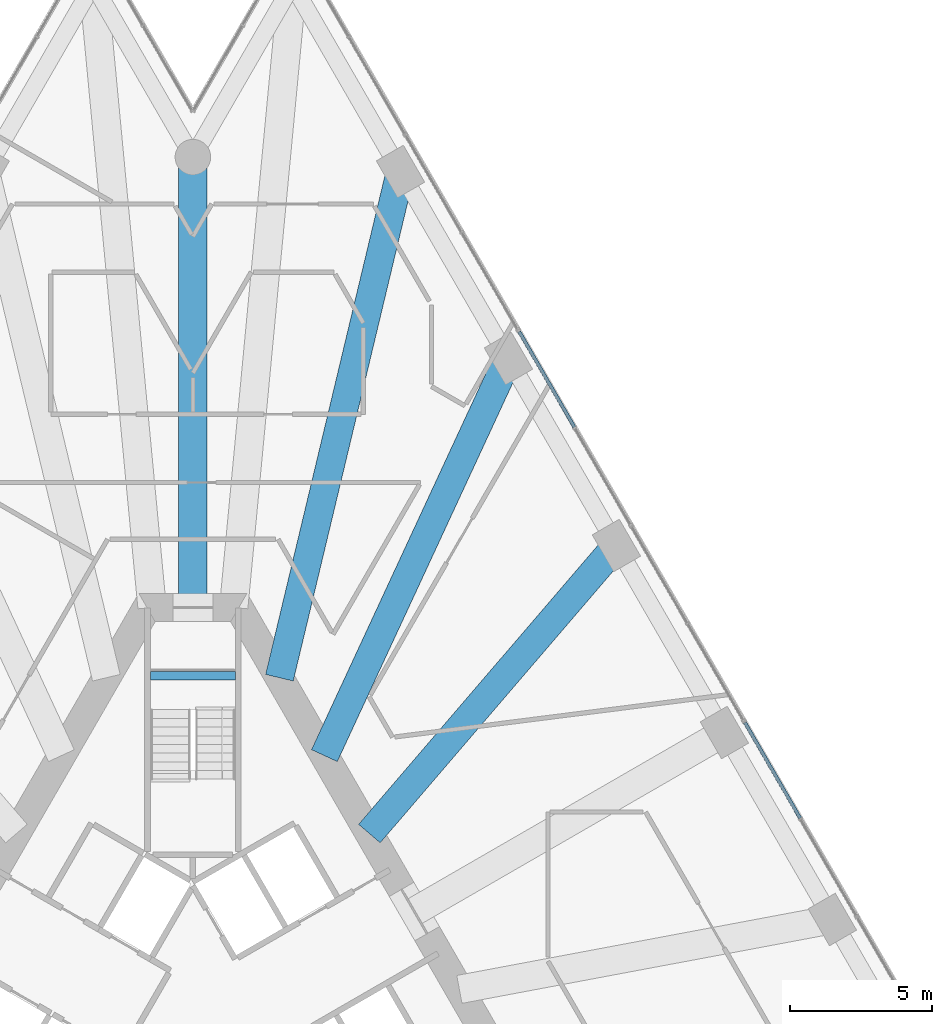
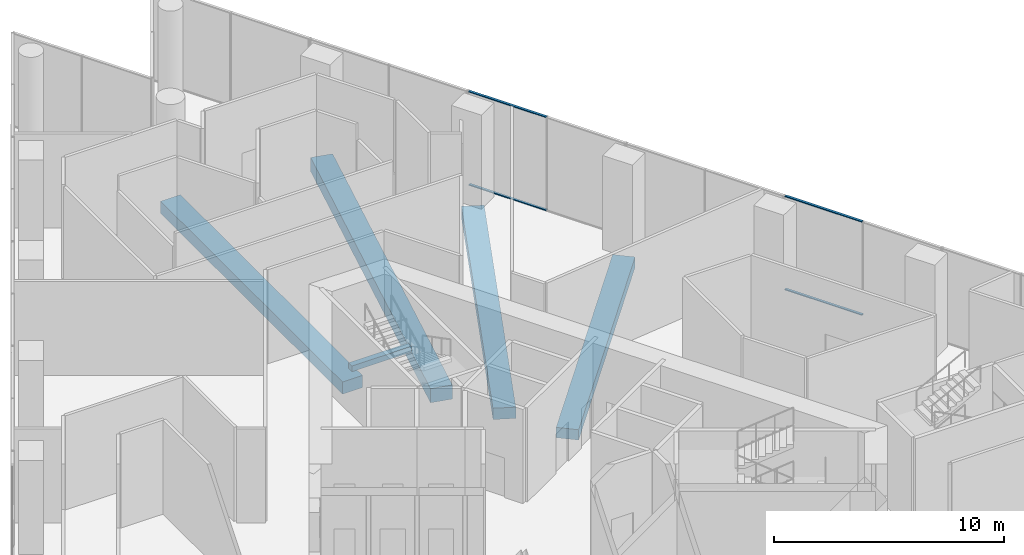
# One storey, part 13 of 29: 5 beams, 4 members, 2 elements without a shape of their own.
"""IFC4 building model written with IfcOpenShell, lengths in metres."""

from ifc_helpers import new_model, si_unit, direction, frame, origin, origin_2d, place, context, subcontext, project, spatial, rectangle, extrude, material, layer, layer_set, material_profile, profile_set, type_object, element, aggregate, save


model = new_model("IFC4")

# Units and contexts
model_context = context("Model", 3, precision=1e-05, world=origin(), true_north=direction((0.0, 1.0)))
body_context = subcontext(model_context, "Body", "Model", "MODEL_VIEW")
ifc_project = project(units=[si_unit("LENGTHUNIT", "METRE"), si_unit("AREAUNIT", "SQUARE_METRE"), si_unit("VOLUMEUNIT", "CUBIC_METRE"), si_unit("PLANEANGLEUNIT", "RADIAN"), si_unit("MASSUNIT", "GRAM", prefix="KILO")], contexts=[model_context])

# Site, building, storey
site_placement = place(None, origin())
site = spatial("IfcSite", under=ifc_project, at=site_placement, CompositionType="ELEMENT")
building_placement = place(site_placement, origin())
building = spatial("IfcBuilding", under=site, at=building_placement, Name="Triada Interchange Tower", CompositionType="ELEMENT")
storey_placement = place(building_placement, frame((0.0, 0.0, 19.89990234375)))
storey = spatial("IfcBuildingStorey", under=building, at=storey_placement, Name="L03", CompositionType="ELEMENT", Elevation=19.89990234375)

# Beams
ifc_material_1 = material(Name="Concrete C35/45", Category="concrete")
ifc_material_profile_1 = material_profile(ifc_material_1, rectangle(XDim=0.300048828125, YDim=0.300048828125, at=origin_2d()), Name="RC 300x300")
ifc_profile_set_1 = profile_set([ifc_material_profile_1], Name="Concrete C35/45")
beam_type_1 = type_object("IfcBeamType", Name="Landing support beam RC 300x300", PredefinedType="BEAM", material=ifc_profile_set_1)
beam_1_placement = place(storey_placement, frame((1.5, 12.800048828125, 2.191162109375), z_axis=(-1.0, 0.0, 0.0), x_axis=(0.0, -1.0, 0.0)))
element("IfcBeam", 1, at=beam_1_placement, inside=storey, type_object=beam_type_1, Name="Landing support beam S03-1 1", PredefinedType="BEAM", context=body_context, shape_type="SweptSolid", body=[
    extrude(rectangle(XDim=0.300048828125, YDim=0.300048828125, at=origin_2d()), origin(), (0.0, 0.0, 1.0), 3.0),
])
ifc_material_2 = material(Name="Concrete C50/60", Category="concrete")
ifc_material_profile_2 = material_profile(ifc_material_2, rectangle(XDim=1.0, YDim=0.550048828125, at=origin_2d()), Name="RC 1000x550")
ifc_profile_set_2 = profile_set([ifc_material_profile_2], Name="Concrete C50/60")
beam_type_2 = type_object("IfcBeamType", Name="Radial band beam P RC 1000x550", PredefinedType="BEAM", material=ifc_profile_set_2)
beam_2_placement = place(storey_placement, frame((14.906005859375, 17.381103515625, -0.6748046875), z_axis=(-0.650979511823, -0.759095300464, 0.0), x_axis=(0.759095300464, -0.650979511823, 0.0)))
element("IfcBeam", 2, at=beam_2_placement, inside=storey, type_object=beam_type_2, Name="Radial band beam BP26 L03", PredefinedType="BEAM", context=body_context, shape_type="SweptSolid", body=[
    extrude(rectangle(XDim=1.0, YDim=0.550048828125, at=origin_2d()), origin(), (0.0, 0.0, 1.0), 13.35693359375),
])
ifc_material_profile_3 = material_profile(ifc_material_2, rectangle(XDim=1.0, YDim=0.60009765625, at=origin_2d()), Name="RC 1000x600")
ifc_profile_set_3 = profile_set([ifc_material_profile_3], Name="Concrete C50/60")
beam_type_3 = type_object("IfcBeamType", Name="Radial band beam P RC 1000x600", PredefinedType="BEAM", material=ifc_profile_set_3)
beam_3_placement = place(storey_placement, frame((11.10595703125, 23.9619140625, -0.699951171875), z_axis=(-0.420512879237, -0.90728656906, 0.0), x_axis=(0.90728656906, -0.420512879237, 0.0)))
element("IfcBeam", 3, at=beam_3_placement, inside=storey, type_object=beam_type_3, Name="Radial band beam BP27 L03", PredefinedType="BEAM", context=body_context, shape_type="SweptSolid", body=[
    extrude(rectangle(XDim=1.0, YDim=0.60009765625, at=origin_2d()), origin(), (0.0, 0.0, 1.0), 15.405029296875),
])
ifc_material_profile_4 = material_profile(ifc_material_2, rectangle(XDim=1.0, YDim=0.64990234375, at=origin_2d()), Name="RC 1000x650")
ifc_profile_set_4 = profile_set([ifc_material_profile_4], Name="Concrete C50/60")
beam_type_4 = type_object("IfcBeamType", Name="Radial band beam P RC 1000x650", PredefinedType="BEAM", material=ifc_profile_set_4)
beam_4_placement = place(storey_placement, frame((0.0, 31.050048828125, -0.724853515625), z_axis=(0.0, -1.0, 0.0), x_axis=(1.0, 0.0, 0.0)))
element("IfcBeam", 4, at=beam_4_placement, inside=storey, type_object=beam_type_4, Name="Radial band beam BP30 L03", PredefinedType="BEAM", context=body_context, shape_type="SweptSolid", body=[
    extrude(rectangle(XDim=1.0, YDim=0.64990234375, at=origin_2d()), origin(), (0.0, 0.0, 1.0), 15.85009765625),
])
ifc_material_profile_5 = material_profile(ifc_material_2, rectangle(XDim=1.0, YDim=0.75, at=origin_2d()), Name="RC 1000x750")
ifc_profile_set_5 = profile_set([ifc_material_profile_5], Name="Concrete C50/60")
beam_type_5 = type_object("IfcBeamType", Name="Radial band beam P RC 1000x750", PredefinedType="BEAM", material=ifc_profile_set_5)
beam_5_placement = place(storey_placement, frame((7.306884765625, 30.5439453125, -0.77490234375), z_axis=(-0.232645559645, -0.972561588578, 0.0), x_axis=(0.972561588578, -0.232645559645, 0.0)))
element("IfcBeam", 5, at=beam_5_placement, inside=storey, type_object=beam_type_5, Name="Radial band beam BP28 L03", PredefinedType="BEAM", context=body_context, shape_type="SweptSolid", body=[
    extrude(rectangle(XDim=1.0, YDim=0.75, at=origin_2d()), origin(), (0.0, 0.0, 1.0), 18.319580078125),
])

# Curtain wall, members
ifc_material_3 = material(Name="Aluminium framed glazing", Category="aluminium")
ifc_layer = layer(ifc_material_3, 0.199951171875)
ifc_layer_set = layer_set([ifc_layer], Name="Curtain wall Retail shopfront")
curtain_wall_type = type_object("IfcCurtainWallType", Name="Curtain wall Retail shopfront", PredefinedType="NOTDEFINED", material=ifc_layer_set)
curtain_wall_1_placement = place(storey_placement, origin())
curtain_wall_1 = element("IfcCurtainWall", 6, at=curtain_wall_1_placement, inside=storey, type_object=curtain_wall_type, Name="Retail shopfront CW016 L03", PredefinedType="NOTDEFINED")
ifc_material_4 = material(Name="Aluminium", Category="aluminium")
ifc_material_profile_6 = material_profile(ifc_material_4, rectangle(XDim=0.1201171875, YDim=0.050048828125, at=origin_2d()), Name="Aluminium transom")
ifc_profile_set_6 = profile_set([ifc_material_profile_6], Name="Aluminium")
member_type = type_object("IfcMemberType", Name="Transom Retail shopfront 120x50", PredefinedType="USERDEFINED", material=ifc_profile_set_6)
member_1_placement = place(storey_placement, frame((21.373046875, 7.78125, 0.025146484375), z_axis=(-0.499923331814, 0.866069663658, 0.0), x_axis=(-0.866069663658, -0.499923331814, 0.0)))
member_1 = element("IfcMember", 7, at=member_1_placement, type_object=member_type, Name="CW016 transom 2.1", ObjectType="TRANSOM", PredefinedType="USERDEFINED", context=body_context, shape_type="SweptSolid", body=[
    extrude(rectangle(XDim=0.1201171875, YDim=0.050048828125, at=origin_2d()), origin(), (0.0, 0.0, 1.0), 3.892578125),
])
member_2_placement = place(storey_placement, frame((21.373046875, 7.78125, 4.97509765625), z_axis=(-0.499923331814, 0.866069663658, 0.0), x_axis=(-0.866069663658, -0.499923331814, 0.0)))
member_2 = element("IfcMember", 8, at=member_2_placement, type_object=member_type, Name="CW016 transom 2.2", ObjectType="TRANSOM", PredefinedType="USERDEFINED", context=body_context, shape_type="SweptSolid", body=[
    extrude(rectangle(XDim=0.1201171875, YDim=0.050048828125, at=origin_2d()), origin(), (0.0, 0.0, 1.0), 3.892578125),
])
aggregate(curtain_wall_1, [member_1, member_2])

curtain_wall_2_placement = place(storey_placement, origin())
curtain_wall_2 = element("IfcCurtainWall", 9, at=curtain_wall_2_placement, inside=storey, type_object=curtain_wall_type, Name="Retail shopfront CW018 L03", PredefinedType="NOTDEFINED")
member_3_placement = place(storey_placement, frame((13.427001953125, 21.543701171875, 0.025146484375), z_axis=(-0.499950487857, 0.866053987747, 0.0), x_axis=(-0.866053987747, -0.499950487857, 0.0)))
member_3 = element("IfcMember", 10, at=member_3_placement, type_object=member_type, Name="CW018 transom 2.1", ObjectType="TRANSOM", PredefinedType="USERDEFINED", context=body_context, shape_type="SweptSolid", body=[
    extrude(rectangle(XDim=0.1201171875, YDim=0.050048828125, at=origin_2d()), origin(), (0.0, 0.0, 1.0), 3.892578125),
])
member_4_placement = place(storey_placement, frame((13.427001953125, 21.543701171875, 4.97509765625), z_axis=(-0.499950487857, 0.866053987747, 0.0), x_axis=(-0.866053987747, -0.499950487857, 0.0)))
member_4 = element("IfcMember", 11, at=member_4_placement, type_object=member_type, Name="CW018 transom 2.2", ObjectType="TRANSOM", PredefinedType="USERDEFINED", context=body_context, shape_type="SweptSolid", body=[
    extrude(rectangle(XDim=0.1201171875, YDim=0.050048828125, at=origin_2d()), origin(), (0.0, 0.0, 1.0), 3.892578125),
])
aggregate(curtain_wall_2, [member_3, member_4])

save(model, "model.ifc")
